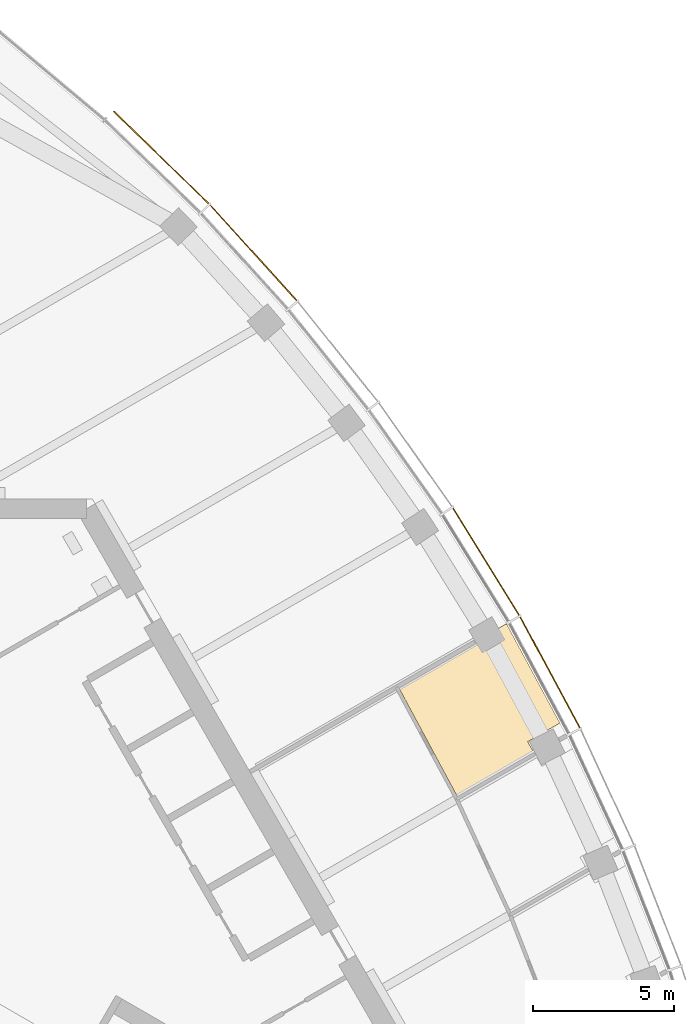
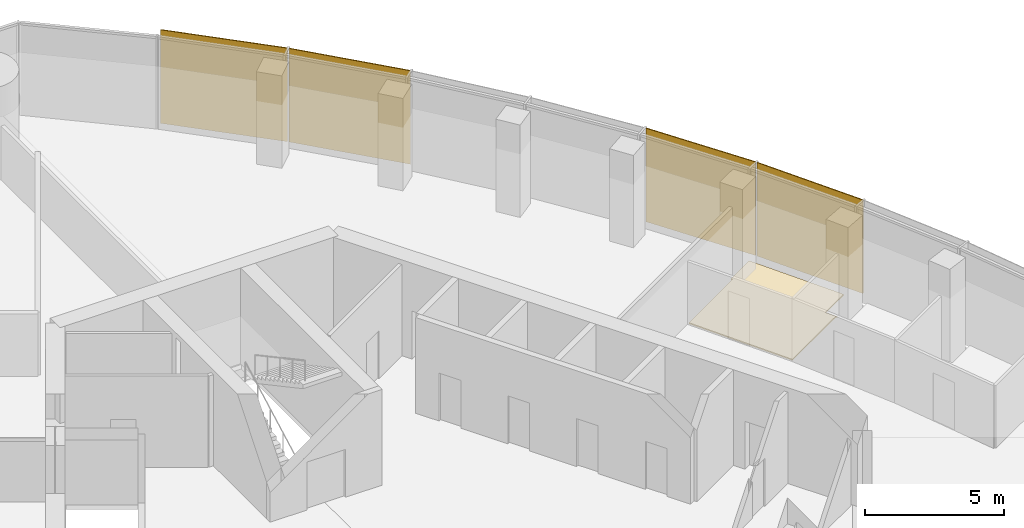
# One storey, part 14 of 16: 4 shading devices, 1 covering.
"""IFC4 building model written with IfcOpenShell, lengths in metres."""

import ifcopenshell
import ifcopenshell.guid

model = None  # the IFC model being written
_history = None  # IfcOwnerHistory: only IFC2X3 demands one
_inside = {}  # id of a spatial element -> (the spatial element, [elements in it])
_under = {}  # id of a project, library or spatial element -> (it, [spatial elements below it])
_declared = {}  # id of a project -> (the project, [libraries it declares])
_typed = {}  # id of a type object -> (the type object, [elements of that type])
_made_of = {}  # id of a material, layer set ... -> (it, [elements and type objects made of it])


def new_model(schema):
    """Start an empty IFC model of exactly this schema.

    Asked for "IFC4X3", IfcOpenShell would pick the latest addendum, in which some entities
    have other attributes; the version numbers below select the first issue.
    IFC2X3 requires an IfcOwnerHistory on every rooted entity: one is made here for all.
    """
    global model, _history
    if schema == "IFC4X3":
        model = ifcopenshell.file(schema_version=(4, 3, 0, 0))
    else:
        model = ifcopenshell.file(schema=schema)
    _inside.clear()
    _under.clear()
    _declared.clear()
    _typed.clear()
    _made_of.clear()
    _history = None
    if model.schema == "IFC2X3":
        org = make("IfcOrganization", Name="unknown")
        user = make(
            "IfcPersonAndOrganization",
            ThePerson=make("IfcPerson", FamilyName="unknown"),
            TheOrganization=org,
        )
        app = make(
            "IfcApplication",
            ApplicationDeveloper=org,
            Version="unknown",
            ApplicationFullName="unknown",
            ApplicationIdentifier="unknown",
        )
        _history = make(
            "IfcOwnerHistory",
            OwningUser=user,
            OwningApplication=app,
            ChangeAction="ADDED",
            CreationDate=0,
        )
    return model


def make(cls, **values):
    """One entity of the class cls with the attributes given. An attribute that is None is left unset."""
    return model.create_entity(
        cls, **{name: value for name, value in values.items() if value is not None}
    )


def rooted(cls, **values):
    """An entity with a GlobalId (a new one), such as an element, a storey or a relation."""
    return make(cls, GlobalId=ifcopenshell.guid.new(), OwnerHistory=_history, **values)


def si_unit(unit_type, name, prefix=None):
    """IfcSIUnit, for example si_unit("LENGTHUNIT", "METRE", prefix="MILLI")."""
    return make("IfcSIUnit", UnitType=unit_type, Prefix=prefix, Name=name)


def assignment(units):
    """IfcUnitAssignment: the units of a project."""
    return None if units is None else make("IfcUnitAssignment", Units=units)


def point(xyz):
    """IfcCartesianPoint."""
    return None if xyz is None else make("IfcCartesianPoint", Coordinates=xyz)


def direction(xyz):
    """IfcDirection."""
    return None if xyz is None else make("IfcDirection", DirectionRatios=xyz)


def frame(location, z_axis=None, x_axis=None):
    """IfcAxis2Placement3D, a coordinate frame: its origin and axes. An axis left out is left unset."""
    return make(
        "IfcAxis2Placement3D",
        Location=point(location),
        Axis=direction(z_axis),
        RefDirection=direction(x_axis),
    )


def frame_2d(location, x_axis=None):
    """IfcAxis2Placement2D, a coordinate frame in the plane: its origin and x axis."""
    return make(
        "IfcAxis2Placement2D", Location=point(location), RefDirection=direction(x_axis)
    )


def origin():
    """The frame at (0, 0, 0) with its axes left unset."""
    return frame((0.0, 0.0, 0.0))


def origin_2d():
    """The frame at (0, 0) in the plane with its x axis left unset."""
    return frame_2d((0.0, 0.0))


def place(relative_to, where):
    """IfcLocalPlacement: puts the frame where relative to a parent placement (None: the world)."""
    return make(
        "IfcLocalPlacement", PlacementRelTo=relative_to, RelativePlacement=where
    )


def context(
    kind, dimensions, precision=None, world=None, true_north=None, identifier=None
):
    """IfcGeometricRepresentationContext, for example the 3D "Model" context."""
    return make(
        "IfcGeometricRepresentationContext",
        ContextIdentifier=identifier,
        ContextType=kind,
        CoordinateSpaceDimension=dimensions,
        Precision=precision,
        WorldCoordinateSystem=world,
        TrueNorth=true_north,
    )


def subcontext(parent, identifier, kind, view, scale=None):
    """IfcGeometricRepresentationSubContext, for example "Body" below "Model"."""
    return make(
        "IfcGeometricRepresentationSubContext",
        ContextIdentifier=identifier,
        ContextType=kind,
        ParentContext=parent,
        TargetScale=scale,
        TargetView=view,
    )


def project(units=None, contexts=None):
    """IfcProject with its units and contexts."""
    return rooted(
        "IfcProject",
        Name="project",
        RepresentationContexts=contexts,
        UnitsInContext=assignment(units),
    )


def spatial(cls, under=None, at=None, **own):
    """A site, building, storey or space (cls), placed at a placement, below another one or the project."""
    s = rooted(cls, ObjectPlacement=at, **own)
    if under is not None:
        _under.setdefault(under.id(), (under, []))[1].append(s)
    return s


def polyline(points):
    """IfcPolyline through the points."""
    return make("IfcPolyline", Points=[point(p) for p in points])


def profile(cls, at=None, kind="AREA", **sizes):
    """A parametric profile (cls). Its sizes go by their IFC names, for example OverallWidth=200.0."""
    return make(cls, ProfileType=kind, Position=at, **sizes)


def rectangle(**sizes):
    """IfcRectangleProfileDef."""
    return profile("IfcRectangleProfileDef", **sizes)


def outline(outer, holes=None, kind="AREA"):
    """IfcArbitraryClosedProfileDef: a profile drawn as a closed curve; with holes, ...WithVoids."""
    if holes is None:
        return make("IfcArbitraryClosedProfileDef", ProfileType=kind, OuterCurve=outer)
    return make(
        "IfcArbitraryProfileDefWithVoids",
        ProfileType=kind,
        OuterCurve=outer,
        InnerCurves=holes,
    )


def extrude(swept, where, along, depth):
    """IfcExtrudedAreaSolid: the profile swept, set in the frame where, extruded along a direction by depth."""
    return make(
        "IfcExtrudedAreaSolid",
        SweptArea=swept,
        Position=where,
        ExtrudedDirection=direction(along),
        Depth=depth,
    )


def shape(context_of_items, identifier, shape_type, items):
    """IfcShapeRepresentation: the items that make up one representation, for example the "Body"."""
    return make(
        "IfcShapeRepresentation",
        ContextOfItems=context_of_items,
        RepresentationIdentifier=identifier,
        RepresentationType=shape_type,
        Items=items,
    )


def material(Name=None, Category=None):
    """IfcMaterial."""
    return make("IfcMaterial", Name=Name, Category=Category)


def layer(
    of_material, thickness, ventilated=None, Name=None, Category=None, Priority=None
):
    """IfcMaterialLayer: one layer of a wall or slab, of a material (None: an air gap)."""
    return make(
        "IfcMaterialLayer",
        Material=of_material,
        LayerThickness=thickness,
        IsVentilated=ventilated,
        Name=Name,
        Category=Category,
        Priority=Priority,
    )


def layer_set(layers, Name=None):
    """IfcMaterialLayerSet."""
    return make("IfcMaterialLayerSet", MaterialLayers=layers, LayerSetName=Name)


def made_of(thing, what):
    """Note that an element or type object is made of a material, layer set ...; save() writes the relation."""
    if what is not None:
        _made_of.setdefault(what.id(), (what, []))[1].append(thing)
    return thing


def type_object(cls, material=None, **own):
    """A type object (cls), such as IfcWallType, which elements share."""
    return made_of(rooted(cls, **own), material)


def element(
    cls,
    number,
    at=None,
    inside=None,
    cuts=None,
    type_object=None,
    material=None,
    context=None,
    identifier="Body",
    shape_type=None,
    held_by="IfcProductDefinitionShape",
    body=None,
    shapes=None,
    **own,
):
    """One element of the class cls, such as IfcWall. Its Tag is "e" and its number.

    at: its placement. inside: the storey or other place that contains it. cuts: it is an
    opening in that element (IfcRelVoidsElement). A single representation is given by context,
    identifier, shape_type and body (its items); several are given by shapes. held_by: the class
    of the entity that holds the representations. save() writes the other relations.
    """
    e = rooted(cls, Tag="e%d" % number, ObjectPlacement=at, **own)
    if body is not None:
        shapes = [shape(context, identifier, shape_type, body)]
    if shapes is not None:
        e.Representation = make(held_by, Representations=shapes)
    if inside is not None:
        _inside.setdefault(inside.id(), (inside, []))[1].append(e)
    if cuts is not None:
        rooted(
            "IfcRelVoidsElement", RelatingBuildingElement=cuts, RelatedOpeningElement=e
        )
    if type_object is not None:
        _typed.setdefault(type_object.id(), (type_object, []))[1].append(e)
    return made_of(e, material)


def aggregate(whole, parts):
    """IfcRelAggregates: a whole, such as a stair, and the parts it consists of."""
    return rooted("IfcRelAggregates", RelatingObject=whole, RelatedObjects=parts)


def save(model, path):
    """Write the relations noted so far, then the file.

    IfcRelAggregates (storeys below a building ...), IfcRelContainedInSpatialStructure (elements
    in a storey), IfcRelDefinesByType, IfcRelAssociatesMaterial and IfcRelDeclares: one each for
    every whole, place, type object, material and project.
    """
    for whole, parts in _under.values():
        aggregate(whole, parts)
    for where, things in _inside.values():
        rooted(
            "IfcRelContainedInSpatialStructure",
            RelatedElements=things,
            RelatingStructure=where,
        )
    for kind, things in _typed.values():
        rooted("IfcRelDefinesByType", RelatedObjects=things, RelatingType=kind)
    for what, things in _made_of.values():
        rooted("IfcRelAssociatesMaterial", RelatedObjects=things, RelatingMaterial=what)
    for by, libraries in _declared.values():
        rooted("IfcRelDeclares", RelatingContext=by, RelatedDefinitions=libraries)
    model.write(path)


model = new_model("IFC4")

# Units and contexts
model_context = context("Model", 3, precision=1e-05, world=origin(), true_north=direction((0.0, 1.0)))
body_context = subcontext(model_context, "Body", "Model", "MODEL_VIEW")
ifc_project = project(units=[si_unit("LENGTHUNIT", "METRE"), si_unit("AREAUNIT", "SQUARE_METRE"), si_unit("VOLUMEUNIT", "CUBIC_METRE"), si_unit("PLANEANGLEUNIT", "RADIAN"), si_unit("MASSUNIT", "GRAM", prefix="KILO")], contexts=[model_context])

# Site, building, storey
site_placement = place(None, origin())
site = spatial("IfcSite", under=ifc_project, at=site_placement, CompositionType="ELEMENT")
building_placement = place(site_placement, origin())
building = spatial("IfcBuilding", under=site, at=building_placement, Name="Trefoil Bronze Tower", CompositionType="ELEMENT")
storey_placement = place(building_placement, frame((0.0, 0.0, 293.10009765625)))
storey = spatial("IfcBuildingStorey", under=building, at=storey_placement, Name="L67", CompositionType="ELEMENT", Elevation=293.10009765625)

# Shading devices
ifc_material_1 = material(Name="Perforated bronze sheet", Category="bronze")
ifc_layer_1 = layer(ifc_material_1, 0.0400390625)
ifc_layer_set_1 = layer_set([ifc_layer_1], Name="Bronze solar screen panel")
shading_device_type = type_object("IfcShadingDeviceType", Name="Bronze solar screen panel", PredefinedType="SHUTTER", material=ifc_layer_set_1)
for number, where, z_axis, x_axis, name in (
    (1, (22.19775390625, 10.198974609375, 0.0498046875), (0.0, 0.0, 1.0), (-0.473562437085, 0.880760250115, 0.0), "Solar screen CW-A L67 F2 bay 5"),
    (2, (19.931396484375, 14.124267578125, 0.0498046875), (0.0, 0.0, 1.0), (-0.525979532701, 0.850497225851, 0.0), "Solar screen CW-A L67 F2 bay 6"),
):
    element("IfcShadingDevice", number, at=place(storey_placement, frame(where, z_axis=z_axis, x_axis=x_axis)), inside=storey, type_object=shading_device_type, Name=name, PredefinedType="SHUTTER", context=body_context, shape_type="SweptSolid", body=[
        extrude(rectangle(XDim=4.47216796875, YDim=0.0400390625, at=origin_2d()), origin(), (0.0, 0.0, 1.0), 4.10009765625),
    ])
shading_device_1_placement = place(storey_placement, frame((11.688720703125, 25.067138671875, 0.0498046875), z_axis=(0.0, 0.0, 1.0), x_axis=(-0.672115274615, 0.74044652584, 0.0)))
element("IfcShadingDevice", 3, at=shading_device_1_placement, inside=storey, type_object=shading_device_type, Name="Solar screen CW-A L67 F2 bay 9", PredefinedType="SHUTTER", context=body_context, shape_type="SweptSolid", body=[
    extrude(rectangle(XDim=4.574462890625, YDim=0.0400390625, at=origin_2d()), origin(), (0.0, 0.0, 1.0), 4.10009765625),
])
shading_device_2_placement = place(storey_placement, frame((8.42236328125, 28.443359375, 0.0498046875), z_axis=(0.0, 0.0, 1.0), x_axis=(-0.71721818561, 0.696848673839, 0.0)))
element("IfcShadingDevice", 4, at=shading_device_2_placement, inside=storey, type_object=shading_device_type, Name="Solar screen CW-A L67 F2 bay 10", PredefinedType="SHUTTER", context=body_context, shape_type="SweptSolid", body=[
    extrude(rectangle(XDim=4.697509765625, YDim=0.0400390625, at=origin_2d()), origin(), (0.0, 0.0, 1.0), 4.10009765625),
])

# Covering
ifc_material_2 = material(Name="Raised access floor panels", Category="steel")
ifc_layer_2 = layer(ifc_material_2, 0.050048828125)
ifc_layer_set_2 = layer_set([ifc_layer_2], Name="Raised access floor 150")
covering_type = type_object("IfcCoveringType", Name="Raised access floor 150", PredefinedType="FLOORING", material=ifc_layer_set_2)
covering_placement = place(storey_placement, frame((0.0, 0.0, 0.099853515625)))
element("IfcCovering", 5, at=covering_placement, inside=storey, type_object=covering_type, Name="Raised floor L67 Office F2", PredefinedType="FLOORING", context=body_context, shape_type="SweptSolid", body=[
    extrude(outline(polyline([(20.656005859375, 11.92578125), (22.54931640625, 8.404541015625), (21.405517578125, 7.744384765625), (21.65771484375, 7.307861328125), (21.656005859375, 7.306884765625), (21.6259765625, 7.35888671875), (18.91455078125, 5.79345703125), (16.846435546875, 9.6396484375), (19.5634765625, 11.208251953125), (19.52587890625, 11.273193359375), (20.656005859375, 11.92578125)])), origin(), (0.0, 0.0, 1.0), 0.050048828125),
])

save(model, "model.ifc")
